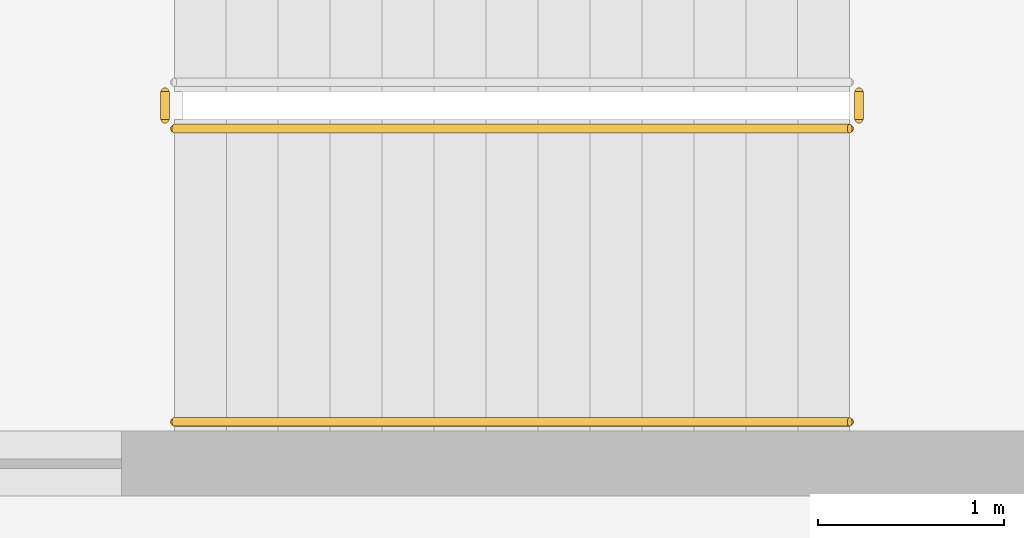
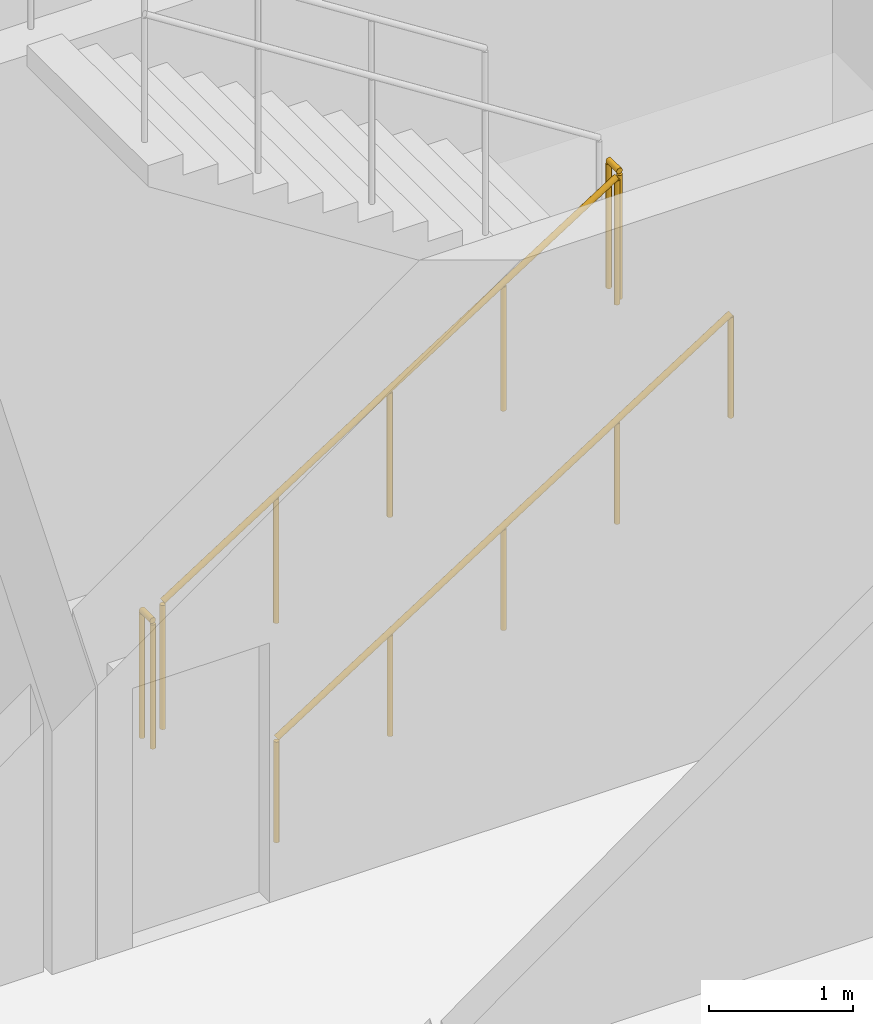
# One storey, part 40 of 47: 4 railings.
"""IFC4 building model written with IfcOpenShell, lengths in metres."""

from ifc_helpers import new_model, si_unit, direction, frame, origin, origin_2d, place, context, subcontext, project, spatial, circle, extrude, material, type_object, element, save


model = new_model("IFC4")

# Units and contexts
model_context = context("Model", 3, precision=1e-05, world=origin(), true_north=direction((0.0, 1.0)))
body_context = subcontext(model_context, "Body", "Model", "MODEL_VIEW")
ifc_project = project(units=[si_unit("LENGTHUNIT", "METRE"), si_unit("AREAUNIT", "SQUARE_METRE"), si_unit("VOLUMEUNIT", "CUBIC_METRE"), si_unit("PLANEANGLEUNIT", "RADIAN"), si_unit("MASSUNIT", "GRAM", prefix="KILO")], contexts=[model_context])

# Site, building, storey
site_placement = place(None, origin())
site = spatial("IfcSite", under=ifc_project, at=site_placement, CompositionType="ELEMENT")
building_placement = place(site_placement, origin())
building = spatial("IfcBuilding", under=site, at=building_placement, Name="Qorvath Tower", CompositionType="ELEMENT")
storey_placement = place(building_placement, frame((0.0, 0.0, 12.0)))
storey = spatial("IfcBuildingStorey", under=building, at=storey_placement, Name="L02", CompositionType="ELEMENT", Elevation=12.0)

# Railings
ifc_material_1 = material(Name="Painted galvanised steel", Category="steel")
railing_type_1 = type_object("IfcRailingType", Name="RL-STR-GRD", PredefinedType="GUARDRAIL", material=ifc_material_1)
railing_1_placement = place(storey_placement, frame((-22.669921875, -6.570068359375, 0.178466796875)))
element("IfcRailing", 1, at=railing_1_placement, inside=storey, type_object=railing_type_1, Name="L02 TS2 stair guard 1", PredefinedType="GUARDRAIL", context=body_context, shape_type="SweptSolid", body=[
    extrude(circle(Radius=0.02392578125, at=origin_2d()), frame((0.0, 0.0, 1.076171875), z_axis=(0.843111507901, 0.0, 0.53773877045), x_axis=(0.0, 1.0, 0.0)), (0.0, 0.0, 1.0), 4.317138671875),
    extrude(circle(Radius=0.02099609375, at=origin_2d()), origin(), (0.0, 0.0, 1.0), 1.052001953125),
    extrude(circle(Radius=0.02099609375, at=origin_2d()), frame((0.909912109375, 0.0, 0.580322265625)), (0.0, 0.0, 1.0), 1.052001953125),
    extrude(circle(Radius=0.02099609375, at=origin_2d()), frame((1.81982421875, 0.0, 1.16064453125)), (0.0, 0.0, 1.0), 1.052001953125),
    extrude(circle(Radius=0.02099609375, at=origin_2d()), frame((2.72998046875, 0.0, 1.7412109375)), (0.0, 0.0, 1.0), 1.052001953125),
    extrude(circle(Radius=0.02099609375, at=origin_2d()), frame((3.639892578125, 0.0, 2.321533203125)), (0.0, 0.0, 1.0), 1.052001953125),
])
for number, where, name in (
    (2, (-18.97998046875, -6.52001953125, 2.5), "L02 TS2 stair guard 2"),
    (3, (-22.719970703125, -6.52001953125, 0.0), "L02 TS2 stair guard 4"),
):
    element("IfcRailing", number, at=place(storey_placement, frame(where)), inside=storey, type_object=railing_type_1, Name=name, PredefinedType="GUARDRAIL", context=body_context, shape_type="SweptSolid", body=[
        extrude(circle(Radius=0.02392578125, at=origin_2d()), frame((0.0, 0.0, 1.076171875), z_axis=(0.0, 1.0, 0.0), x_axis=(-1.0, 0.0, 0.0)), (0.0, 0.0, 1.0), 0.14990234375),
        extrude(circle(Radius=0.02099609375, at=origin_2d()), origin(), (0.0, 0.0, 1.0), 1.052001953125),
        extrude(circle(Radius=0.02099609375, at=origin_2d()), frame((0.0, 0.14990234375, 0.0)), (0.0, 0.0, 1.0), 1.052001953125),
    ])
ifc_material_2 = material(Name="Brushed stainless steel AISI 304", Category="steel")
railing_type_2 = type_object("IfcRailingType", Name="RL-STR-HND", PredefinedType="HANDRAIL", material=ifc_material_2)
railing_2_placement = place(storey_placement, frame((-22.669921875, -8.14990234375, 0.178466796875)))
element("IfcRailing", 4, at=railing_2_placement, inside=storey, type_object=railing_type_2, Name="L02 TS2 stair handrail 1", PredefinedType="HANDRAIL", context=body_context, shape_type="SweptSolid", body=[
    extrude(circle(Radius=0.02392578125, at=origin_2d()), frame((0.0, 0.0, 0.8759765625), z_axis=(0.843111507901, 0.0, 0.53773877045), x_axis=(0.0, 1.0, 0.0)), (0.0, 0.0, 1.0), 4.317138671875),
    extrude(circle(Radius=0.02099609375, at=origin_2d()), origin(), (0.0, 0.0, 1.0), 0.851806640625),
    extrude(circle(Radius=0.02099609375, at=origin_2d()), frame((0.909912109375, 0.0, 0.580322265625)), (0.0, 0.0, 1.0), 0.851806640625),
    extrude(circle(Radius=0.02099609375, at=origin_2d()), frame((1.81982421875, 0.0, 1.16064453125)), (0.0, 0.0, 1.0), 0.851806640625),
    extrude(circle(Radius=0.02099609375, at=origin_2d()), frame((2.72998046875, 0.0, 1.7412109375)), (0.0, 0.0, 1.0), 0.851806640625),
    extrude(circle(Radius=0.02099609375, at=origin_2d()), frame((3.639892578125, 0.0, 2.321533203125)), (0.0, 0.0, 1.0), 0.851806640625),
])

save(model, "model.ifc")
